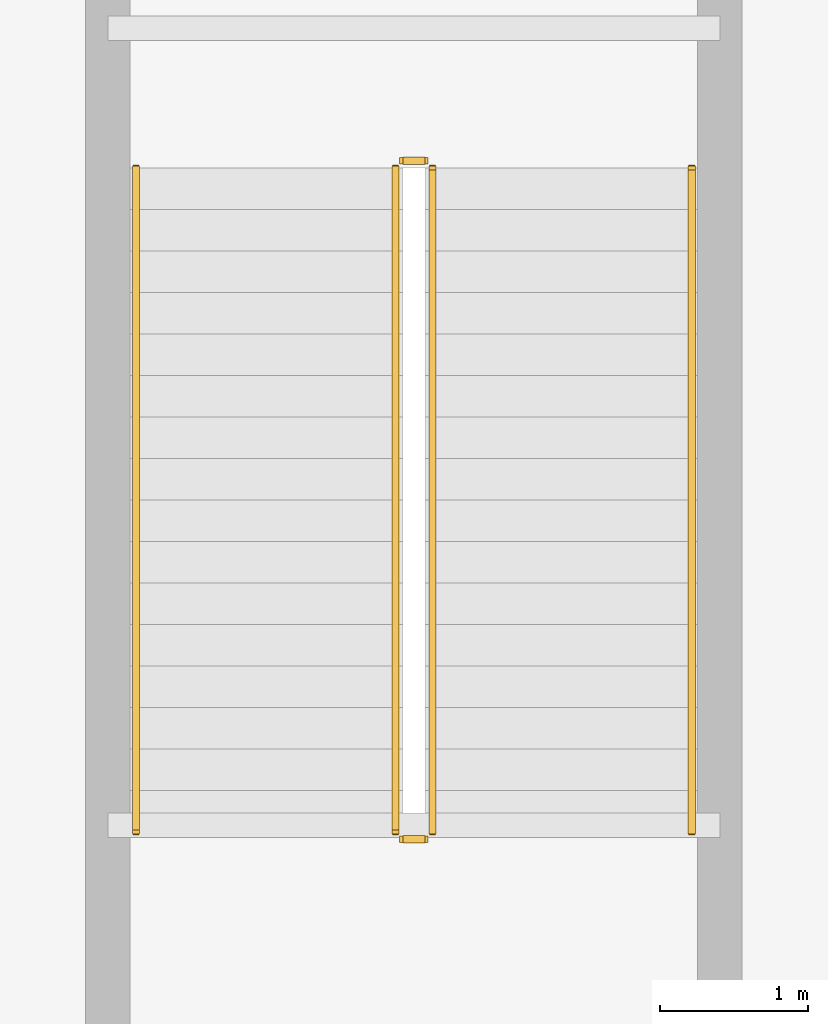
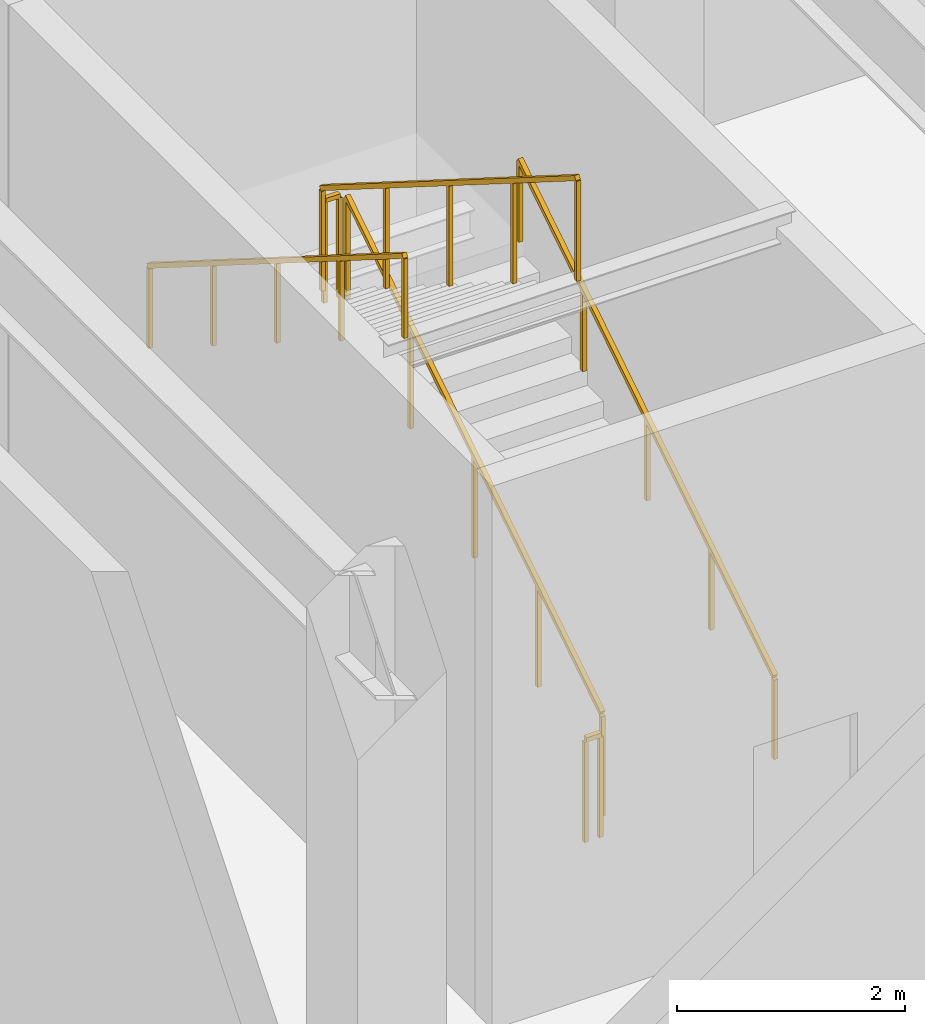
# One storey, part 21 of 23: 6 railings.
"""IFC4 building model written with IfcOpenShell, lengths in metres."""

from ifc_helpers import new_model, si_unit, direction, frame, origin, origin_2d, place, context, subcontext, project, spatial, rectangle, extrude, material, type_object, element, save


model = new_model("IFC4")

# Units and contexts
model_context = context("Model", 3, precision=1e-05, world=origin(), true_north=direction((0.0, 1.0)))
body_context = subcontext(model_context, "Body", "Model", "MODEL_VIEW")
ifc_project = project(units=[si_unit("LENGTHUNIT", "METRE"), si_unit("AREAUNIT", "SQUARE_METRE"), si_unit("VOLUMEUNIT", "CUBIC_METRE"), si_unit("PLANEANGLEUNIT", "RADIAN"), si_unit("MASSUNIT", "GRAM", prefix="KILO")], contexts=[model_context])

# Site, building, storey
site_placement = place(None, origin())
site = spatial("IfcSite", under=ifc_project, at=site_placement, CompositionType="ELEMENT")
building_placement = place(site_placement, origin())
building = spatial("IfcBuilding", under=site, at=building_placement, Name="Vantalir Tower", CompositionType="ELEMENT")
storey_placement = place(building_placement, origin())
storey = spatial("IfcBuildingStorey", under=building, at=storey_placement, Name="L00", CompositionType="ELEMENT", Elevation=0.0)

# Railings
ifc_material_1 = material(Name="Anodised aluminium and stainless steel guard", Category="steel")
railing_type_1 = type_object("IfcRailingType", Name="RAL-GUARD-1120", PredefinedType="GUARDRAIL", material=ifc_material_1)
railing_1_placement = place(storey_placement, frame((6.050048828125, 40.85009765625, 0.176513671875)))
element("IfcRailing", 1, at=railing_1_placement, inside=storey, type_object=railing_type_1, Name="L00 PST1 stair guard 1", PredefinedType="GUARDRAIL", context=body_context, shape_type="SweptSolid", body=[
    extrude(rectangle(XDim=0.048095703125, YDim=0.048095703125, at=origin_2d()), frame((0.0, 0.0, 1.09619140625), z_axis=(0.0, 0.845997938375, 0.533186166611), x_axis=(-1.0, 0.0, 0.0)), (0.0, 0.0, 1.0), 5.29541015625),
    extrude(rectangle(XDim=0.0419921875, YDim=0.0419921875, at=origin_2d()), origin(), (0.0, 0.0, 1.0), 1.072021484375),
    extrude(rectangle(XDim=0.0419921875, YDim=0.0419921875, at=origin_2d()), frame((0.0, 1.1201171875, 0.705810546875)), (0.0, 0.0, 1.0), 1.072021484375),
    extrude(rectangle(XDim=0.0419921875, YDim=0.0419921875, at=origin_2d()), frame((0.0, 2.239990234375, 1.41162109375)), (0.0, 0.0, 1.0), 1.072021484375),
    extrude(rectangle(XDim=0.0419921875, YDim=0.0419921875, at=origin_2d()), frame((0.0, 3.35986328125, 2.11767578125)), (0.0, 0.0, 1.0), 1.072021484375),
    extrude(rectangle(XDim=0.0419921875, YDim=0.0419921875, at=origin_2d()), frame((0.0, 4.47998046875, 2.823486328125)), (0.0, 0.0, 1.0), 1.072021484375),
])
railing_2_placement = place(storey_placement, frame((6.0, 45.3798828125, 3.0)))
element("IfcRailing", 2, at=railing_2_placement, inside=storey, type_object=railing_type_1, Name="L00 PST1 stair guard 2", PredefinedType="GUARDRAIL", context=body_context, shape_type="SweptSolid", body=[
    extrude(rectangle(XDim=0.048095703125, YDim=0.048095703125, at=origin_2d()), frame((0.0, 0.0, 1.09619140625), z_axis=(-1.0, 0.0, 0.0), x_axis=(0.0, -1.0, 0.0)), (0.0, 0.0, 1.0), 0.14990234375),
    extrude(rectangle(XDim=0.0419921875, YDim=0.0419921875, at=origin_2d()), origin(), (0.0, 0.0, 1.0), 1.072021484375),
    extrude(rectangle(XDim=0.0419921875, YDim=0.0419921875, at=origin_2d()), frame((-0.14990234375, 0.0, 0.0)), (0.0, 0.0, 1.0), 1.072021484375),
])
railing_3_placement = place(storey_placement, frame((5.800048828125, 45.330078125, 3.176513671875)))
element("IfcRailing", 3, at=railing_3_placement, inside=storey, type_object=railing_type_1, Name="L00 PST1 stair guard 3", PredefinedType="GUARDRAIL", context=body_context, shape_type="SweptSolid", body=[
    extrude(rectangle(XDim=0.048095703125, YDim=0.048095703125, at=origin_2d()), frame((0.0, 0.0, 1.09619140625), z_axis=(0.0, -0.845997938375, 0.533186166611), x_axis=(1.0, 0.0, 0.0)), (0.0, 0.0, 1.0), 5.29541015625),
    extrude(rectangle(XDim=0.0419921875, YDim=0.0419921875, at=origin_2d()), origin(), (0.0, 0.0, 1.0), 1.072021484375),
    extrude(rectangle(XDim=0.0419921875, YDim=0.0419921875, at=origin_2d()), frame((0.0, -1.1201171875, 0.705810546875)), (0.0, 0.0, 1.0), 1.072021484375),
    extrude(rectangle(XDim=0.0419921875, YDim=0.0419921875, at=origin_2d()), frame((0.0, -2.239990234375, 1.41162109375)), (0.0, 0.0, 1.0), 1.072021484375),
    extrude(rectangle(XDim=0.0419921875, YDim=0.0419921875, at=origin_2d()), frame((0.0, -3.35986328125, 2.11767578125)), (0.0, 0.0, 1.0), 1.072021484375),
    extrude(rectangle(XDim=0.0419921875, YDim=0.0419921875, at=origin_2d()), frame((0.0, -4.47998046875, 2.823486328125)), (0.0, 0.0, 1.0), 1.072021484375),
])
railing_4_placement = place(storey_placement, frame((6.0, 40.800048828125, 0.0)))
element("IfcRailing", 4, at=railing_4_placement, inside=storey, type_object=railing_type_1, Name="L00 PST1 stair guard 4", PredefinedType="GUARDRAIL", context=body_context, shape_type="SweptSolid", body=[
    extrude(rectangle(XDim=0.048095703125, YDim=0.048095703125, at=origin_2d()), frame((0.0, 0.0, 1.09619140625), z_axis=(-1.0, 0.0, 0.0), x_axis=(0.0, -1.0, 0.0)), (0.0, 0.0, 1.0), 0.14990234375),
    extrude(rectangle(XDim=0.0419921875, YDim=0.0419921875, at=origin_2d()), origin(), (0.0, 0.0, 1.0), 1.072021484375),
    extrude(rectangle(XDim=0.0419921875, YDim=0.0419921875, at=origin_2d()), frame((-0.14990234375, 0.0, 0.0)), (0.0, 0.0, 1.0), 1.072021484375),
])
ifc_material_2 = material(Name="Brushed stainless steel tubular handrail", Category="steel")
railing_type_2 = type_object("IfcRailingType", Name="RAL-HANDRAIL-900", PredefinedType="HANDRAIL", material=ifc_material_2)
railing_5_placement = place(storey_placement, frame((7.800048828125, 40.85009765625, 0.176513671875)))
element("IfcRailing", 5, at=railing_5_placement, inside=storey, type_object=railing_type_2, Name="L00 PST1 stair handrail 1", PredefinedType="HANDRAIL", context=body_context, shape_type="SweptSolid", body=[
    extrude(rectangle(XDim=0.048095703125, YDim=0.048095703125, at=origin_2d()), frame((0.0, 0.0, 0.8759765625), z_axis=(0.0, 0.845997938375, 0.533186166611), x_axis=(-1.0, 0.0, 0.0)), (0.0, 0.0, 1.0), 5.29541015625),
    extrude(rectangle(XDim=0.0419921875, YDim=0.0419921875, at=origin_2d()), origin(), (0.0, 0.0, 1.0), 0.851806640625),
    extrude(rectangle(XDim=0.0419921875, YDim=0.0419921875, at=origin_2d()), frame((0.0, 1.1201171875, 0.705810546875)), (0.0, 0.0, 1.0), 0.851806640625),
    extrude(rectangle(XDim=0.0419921875, YDim=0.0419921875, at=origin_2d()), frame((0.0, 2.239990234375, 1.41162109375)), (0.0, 0.0, 1.0), 0.851806640625),
    extrude(rectangle(XDim=0.0419921875, YDim=0.0419921875, at=origin_2d()), frame((0.0, 3.35986328125, 2.11767578125)), (0.0, 0.0, 1.0), 0.851806640625),
    extrude(rectangle(XDim=0.0419921875, YDim=0.0419921875, at=origin_2d()), frame((0.0, 4.47998046875, 2.823486328125)), (0.0, 0.0, 1.0), 0.851806640625),
])
railing_6_placement = place(storey_placement, frame((4.050048828125, 45.330078125, 3.176513671875)))
element("IfcRailing", 6, at=railing_6_placement, inside=storey, type_object=railing_type_2, Name="L00 PST1 stair handrail 2", PredefinedType="HANDRAIL", context=body_context, shape_type="SweptSolid", body=[
    extrude(rectangle(XDim=0.048095703125, YDim=0.048095703125, at=origin_2d()), frame((0.0, 0.0, 0.8759765625), z_axis=(0.0, -0.845997938375, 0.533186166611), x_axis=(1.0, 0.0, 0.0)), (0.0, 0.0, 1.0), 5.29541015625),
    extrude(rectangle(XDim=0.0419921875, YDim=0.0419921875, at=origin_2d()), origin(), (0.0, 0.0, 1.0), 0.851806640625),
    extrude(rectangle(XDim=0.0419921875, YDim=0.0419921875, at=origin_2d()), frame((0.0, -1.1201171875, 0.705810546875)), (0.0, 0.0, 1.0), 0.851806640625),
    extrude(rectangle(XDim=0.0419921875, YDim=0.0419921875, at=origin_2d()), frame((0.0, -2.239990234375, 1.41162109375)), (0.0, 0.0, 1.0), 0.851806640625),
    extrude(rectangle(XDim=0.0419921875, YDim=0.0419921875, at=origin_2d()), frame((0.0, -3.35986328125, 2.11767578125)), (0.0, 0.0, 1.0), 0.851806640625),
    extrude(rectangle(XDim=0.0419921875, YDim=0.0419921875, at=origin_2d()), frame((0.0, -4.47998046875, 2.823486328125)), (0.0, 0.0, 1.0), 0.851806640625),
])

save(model, "model.ifc")
